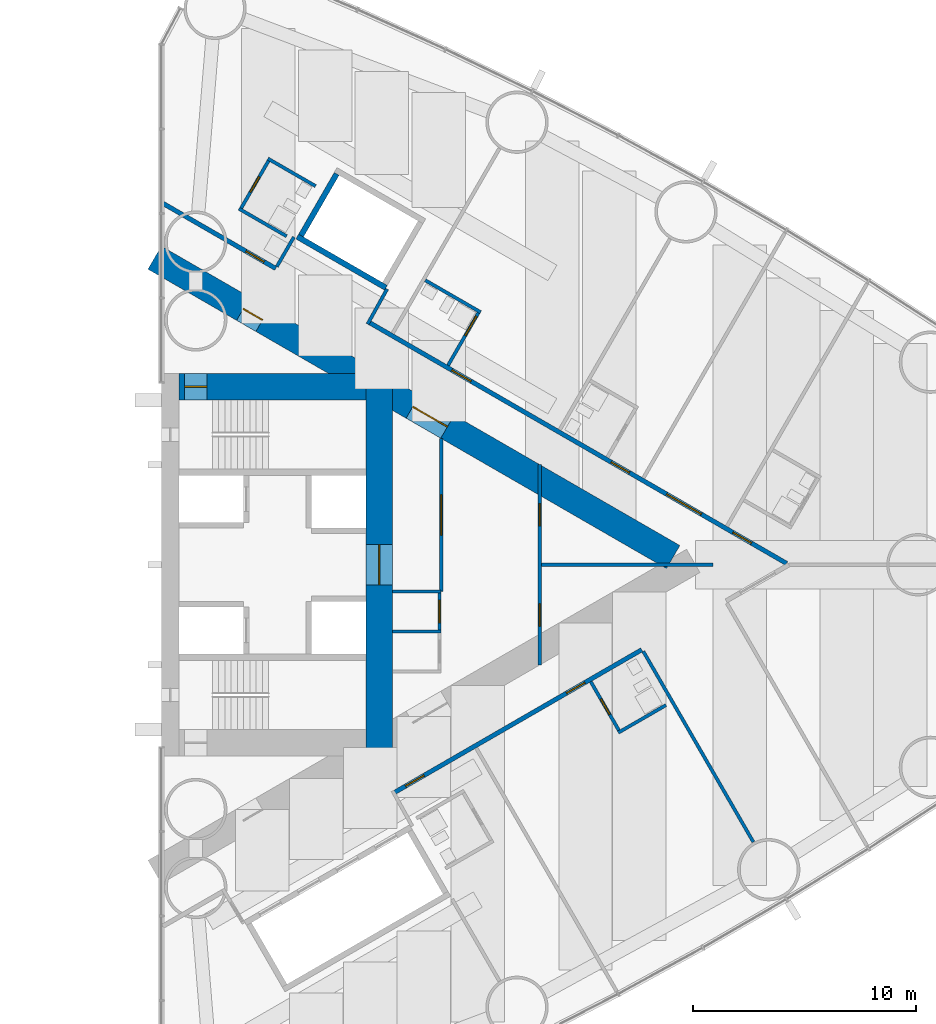
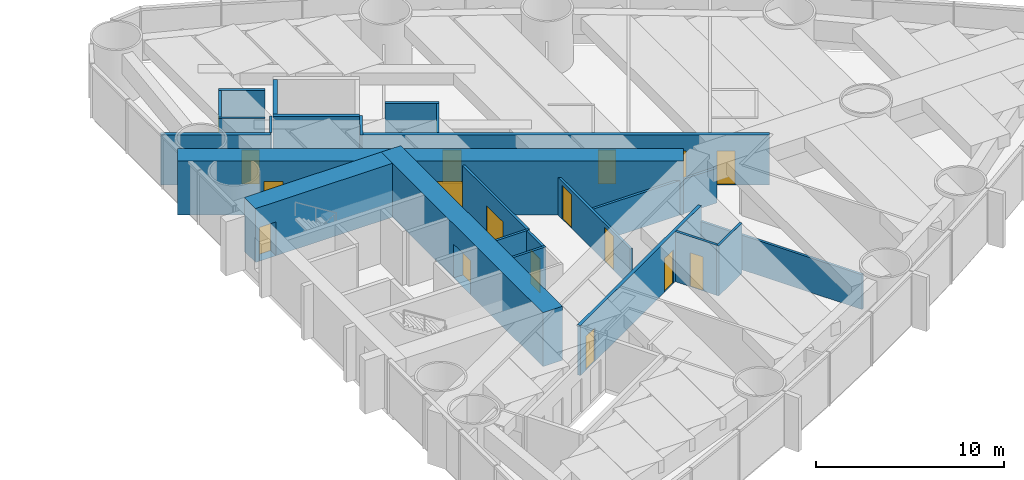
# One storey, part 15 of 19: 24 walls, 18 doors, 18 openings.
"""IFC4 building model written with IfcOpenShell, lengths in metres."""

from ifc_helpers import new_model, si_unit, direction, frame, frame_2d, origin, place, context, subcontext, project, spatial, rectangle, extrude, material, layer, layer_set, type_object, element, fill, save


model = new_model("IFC4")

# Units and contexts
model_context = context("Model", 3, precision=1e-05, world=origin(), true_north=direction((0.0, 1.0)))
body_context = subcontext(model_context, "Body", "Model", "MODEL_VIEW")
ifc_project = project(units=[si_unit("LENGTHUNIT", "METRE"), si_unit("AREAUNIT", "SQUARE_METRE"), si_unit("VOLUMEUNIT", "CUBIC_METRE"), si_unit("PLANEANGLEUNIT", "RADIAN"), si_unit("MASSUNIT", "GRAM", prefix="KILO")], contexts=[model_context])

# Site, building, storey
site_placement = place(None, origin())
site = spatial("IfcSite", under=ifc_project, at=site_placement, CompositionType="ELEMENT")
building_placement = place(site_placement, origin())
building = spatial("IfcBuilding", under=site, at=building_placement, Name="Lancet Gate Hotel", CompositionType="ELEMENT")
storey_placement = place(building_placement, frame((0.0, 0.0, 74.0)))
storey = spatial("IfcBuildingStorey", under=building, at=storey_placement, Name="L19", CompositionType="ELEMENT", Elevation=74.0)

# Wall
ifc_material_1 = material(Name="Moisture resistant board partition")
ifc_layer_1 = layer(ifc_material_1, 0.14990234375)
ifc_layer_set_1 = layer_set([ifc_layer_1], Name="Bathroom wall 150")
wall_type_1 = type_object("IfcWallType", Name="Bathroom wall 150", PredefinedType="PARTITIONING", material=ifc_layer_set_1)
wall_1_placement = place(storey_placement, frame((48.03466796875, -7.544677734375, 0.0), z_axis=(0.0, 0.0, 1.0), x_axis=(0.866006523861, 0.500032699561, 0.0)))
element("IfcWall", 1, at=wall_1_placement, inside=storey, type_object=wall_type_1, Name="T2 bathroom wall 150 L19", PredefinedType="PARTITIONING", context=body_context, shape_type="SweptSolid", body=[
    extrude(rectangle(XDim=2.474853515625, YDim=0.14990234375, at=frame_2d((1.2373046875, 0.0))), origin(), (0.0, 0.0, 1.0), 3.25),
])

# Wall, opening, door
wall_2_placement = place(storey_placement, frame((46.799560546875, -5.25537109375, 0.0), z_axis=(0.0, 0.0, 1.0), x_axis=(0.500006934395, -0.866021400173, 0.0)))
wall_2 = element("IfcWall", 2, at=wall_2_placement, inside=storey, type_object=wall_type_1, Name="T2 bathroom wall 150 L19", PredefinedType="PARTITIONING", context=body_context, shape_type="SweptSolid", body=[
    extrude(rectangle(XDim=2.60009765625, YDim=0.14990234375, at=frame_2d((1.300048828125, 0.0))), origin(), (0.0, 0.0, 1.0), 3.25),
])
opening_1_placement = place(wall_2_placement, frame((0.89990234375, 0.0, 0.0)))
opening_1 = element("IfcOpeningElement", 3, at=opening_1_placement, cuts=wall_2, Name="Opening 1954-B", PredefinedType="OPENING", context=body_context, shape_type="SweptSolid", body=[
    extrude(rectangle(XDim=0.800048828125, YDim=2.199951171875, at=frame_2d((0.39990234375, 1.10009765625))), frame((0.0, 0.0849609375, 0.0), z_axis=(0.0, -1.0, 0.0), x_axis=(1.0, 0.0, 0.0)), (0.0, 0.0, 1.0), 0.169921875),
])
ifc_material_2 = material(Name="Timber door set", Category="wood")
door_type_1 = type_object("IfcDoorType", Name="Bathroom door 800", OperationType="SINGLE_SWING_RIGHT", PredefinedType="DOOR", material=ifc_material_2)
door_1_placement = place(opening_1_placement, origin())
door_1 = element("IfcDoor", 4, at=door_1_placement, inside=storey, type_object=door_type_1, Name="1954-B", OperationType="SINGLE_SWING_RIGHT", OverallHeight=2.199951171875, OverallWidth=0.800048828125, PredefinedType="DOOR", context=body_context, shape_type="SweptSolid", body=[
    extrude(rectangle(XDim=0.800048828125, YDim=2.199951171875, at=frame_2d((0.39990234375, 1.10009765625))), frame((0.0, 0.02490234375, 0.0), z_axis=(0.0, -1.0, 0.0), x_axis=(1.0, 0.0, 0.0)), (0.0, 0.0, 1.0), 0.050048828125),
])
fill(opening_1, door_1)

# Wall
wall_3_placement = place(storey_placement, frame((39.360107421875, 12.78369140625, 0.0), z_axis=(0.0, 0.0, 1.0), x_axis=(0.866018712932, -0.500011588718, 0.0)))
element("IfcWall", 5, at=wall_3_placement, inside=storey, type_object=wall_type_1, Name="T2 bathroom wall 150 L19", PredefinedType="PARTITIONING", context=body_context, shape_type="SweptSolid", body=[
    extrude(rectangle(XDim=2.875, YDim=0.14990234375, at=frame_2d((1.4375, 0.0))), origin(), (0.0, 0.0, 1.0), 3.25),
])

# Wall, opening, door
wall_4_placement = place(storey_placement, frame((40.385009765625, 8.958984375, 0.0), z_axis=(0.0, 0.0, 1.0), x_axis=(0.49998411664, 0.866034573852, 0.0)))
wall_4 = element("IfcWall", 6, at=wall_4_placement, inside=storey, type_object=wall_type_1, Name="T2 bathroom wall 150 L19", PredefinedType="PARTITIONING", context=body_context, shape_type="SweptSolid", body=[
    extrude(rectangle(XDim=2.7998046875, YDim=0.14990234375, at=frame_2d((1.39990234375, 0.0))), origin(), (0.0, 0.0, 1.0), 3.25),
])
opening_2_placement = place(wall_4_placement, frame((1.550048828125, 0.0, 0.0)))
opening_2 = element("IfcOpeningElement", 7, at=opening_2_placement, cuts=wall_4, Name="Opening 1961-B", PredefinedType="OPENING", context=body_context, shape_type="SweptSolid", body=[
    extrude(rectangle(XDim=1.0, YDim=2.199951171875, at=frame_2d((0.5, 1.10009765625))), frame((0.0, 0.0849609375, 0.0), z_axis=(0.0, -1.0, 0.0), x_axis=(1.0, 0.0, 0.0)), (0.0, 0.0, 1.0), 0.169921875),
])
ifc_material_3 = material(Name="Timber door set", Category="wood")
door_type_2 = type_object("IfcDoorType", Name="Accessible en-suite door 1000", OperationType="SINGLE_SWING_RIGHT", PredefinedType="DOOR", material=ifc_material_3)
door_2_placement = place(opening_2_placement, origin())
door_2 = element("IfcDoor", 8, at=door_2_placement, inside=storey, type_object=door_type_2, Name="1961-B", OperationType="SINGLE_SWING_RIGHT", OverallHeight=2.199951171875, OverallWidth=1.0, PredefinedType="DOOR", context=body_context, shape_type="SweptSolid", body=[
    extrude(rectangle(XDim=1.0, YDim=2.199951171875, at=frame_2d((0.5, 1.10009765625))), frame((0.0, 0.02490234375, 0.0), z_axis=(0.0, -1.0, 0.0), x_axis=(1.0, 0.0, 0.0)), (0.0, 0.0, 1.0), 0.050048828125),
])
fill(opening_2, door_2)

# Wall
wall_5_placement = place(storey_placement, frame((32.2890625, 18.251953125, 0.0), z_axis=(0.0, 0.0, 1.0), x_axis=(0.866006523861, -0.500032699561, 0.0)))
element("IfcWall", 9, at=wall_5_placement, inside=storey, type_object=wall_type_1, Name="T2 bathroom wall 150 L19", PredefinedType="PARTITIONING", context=body_context, shape_type="SweptSolid", body=[
    extrude(rectangle(XDim=2.474853515625, YDim=0.14990234375, at=frame_2d((1.2373046875, 0.0))), origin(), (0.0, 0.0, 1.0), 3.25),
])

# Wall, opening, door
wall_6_placement = place(storey_placement, frame((31.053955078125, 15.962646484375, 0.0), z_axis=(0.0, 0.0, 1.0), x_axis=(0.500006934395, 0.866021400173, 0.0)))
wall_6 = element("IfcWall", 10, at=wall_6_placement, inside=storey, type_object=wall_type_1, Name="T2 bathroom wall 150 L19", PredefinedType="PARTITIONING", context=body_context, shape_type="SweptSolid", body=[
    extrude(rectangle(XDim=2.60009765625, YDim=0.14990234375, at=frame_2d((1.300048828125, 0.0))), origin(), (0.0, 0.0, 1.0), 3.25),
])
opening_3_placement = place(wall_6_placement, frame((0.89990234375, 0.0, 0.0)))
opening_3 = element("IfcOpeningElement", 11, at=opening_3_placement, cuts=wall_6, Name="Opening 1963-B", PredefinedType="OPENING", context=body_context, shape_type="SweptSolid", body=[
    extrude(rectangle(XDim=0.800048828125, YDim=2.199951171875, at=frame_2d((0.39990234375, 1.10009765625))), frame((0.0, 0.0849609375, 0.0), z_axis=(0.0, -1.0, 0.0), x_axis=(1.0, 0.0, 0.0)), (0.0, 0.0, 1.0), 0.169921875),
])
door_3_placement = place(opening_3_placement, origin())
door_3 = element("IfcDoor", 12, at=door_3_placement, inside=storey, type_object=door_type_1, Name="1963-B", OperationType="SINGLE_SWING_RIGHT", OverallHeight=2.199951171875, OverallWidth=0.800048828125, PredefinedType="DOOR", context=body_context, shape_type="SweptSolid", body=[
    extrude(rectangle(XDim=0.800048828125, YDim=2.199951171875, at=frame_2d((0.39990234375, 1.10009765625))), frame((0.0, 0.02490234375, 0.0), z_axis=(0.0, -1.0, 0.0), x_axis=(1.0, 0.0, 0.0)), (0.0, 0.0, 1.0), 0.050048828125),
])
fill(opening_3, door_3)

# Wall
wall_7_placement = place(storey_placement, frame((30.989013671875, 16.000244140625, 0.0), z_axis=(0.0, 0.0, 1.0), x_axis=(0.866031185235, -0.4999899861, 0.0)))
element("IfcWall", 13, at=wall_7_placement, inside=storey, type_object=wall_type_1, Name="T2 bathroom wall 150 L19", PredefinedType="PARTITIONING", context=body_context, shape_type="SweptSolid", body=[
    extrude(rectangle(XDim=2.47509765625, YDim=0.14990234375, at=frame_2d((1.237548828125, 0.0))), origin(), (0.0, 0.0, 1.0), 3.25),
])

# Wall, openings, doors
ifc_material_4 = material(Name="Concrete C70/85", Category="concrete")
ifc_layer_2 = layer(ifc_material_4, 1.199951171875)
ifc_layer_set_2 = layer_set([ifc_layer_2], Name="Buttress wall 1200")
wall_type_2 = type_object("IfcWallType", Name="Buttress wall 1200", PredefinedType="SHEAR", material=ifc_layer_set_2)
wall_8_placement = place(storey_placement, frame((27.199951171875, 13.800048828125, 0.0), z_axis=(0.0, 0.0, 1.0), x_axis=(0.866024515034, -0.500001539357, 0.0)))
wall_8 = element("IfcWall", 14, at=wall_8_placement, inside=storey, type_object=wall_type_2, Name="T2 buttress wall N L19", PredefinedType="SHEAR", context=body_context, shape_type="SweptSolid", body=[
    extrude(rectangle(XDim=26.9072265625, YDim=1.199951171875, at=frame_2d((13.45361328125, 0.0))), origin(), (0.0, 0.0, 1.0), 3.5),
])
opening_4_placement = place(wall_8_placement, frame((4.60009765625, 0.0, 0.0)))
opening_4 = element("IfcOpeningElement", 15, at=opening_4_placement, cuts=wall_8, Name="Opening T2-L19-LN", PredefinedType="OPENING", context=body_context, shape_type="SweptSolid", body=[
    extrude(rectangle(XDim=1.0, YDim=2.199951171875, at=frame_2d((0.5, 1.10009765625))), frame((0.0, 0.60986328125, 0.0), z_axis=(0.0, -1.0, 0.0), x_axis=(1.0, 0.0, 0.0)), (0.0, 0.0, 1.0), 1.219970703125),
])
opening_5_placement = place(wall_8_placement, frame((13.39453125, 0.0, 0.0)))
opening_5 = element("IfcOpeningElement", 16, at=opening_5_placement, cuts=wall_8, Name="Opening T2-L19-LHN", PredefinedType="OPENING", context=body_context, shape_type="SweptSolid", body=[
    extrude(rectangle(XDim=1.800048828125, YDim=2.199951171875, at=frame_2d((0.89990234375, 1.10009765625))), frame((0.0, 0.60986328125, 0.0), z_axis=(0.0, -1.0, 0.0), x_axis=(1.0, 0.0, 0.0)), (0.0, 0.0, 1.0), 1.219970703125),
])
ifc_material_5 = material(Name="Timber door set", Category="wood")
door_type_3 = type_object("IfcDoorType", Name="Lobby double door 1800", OperationType="DOUBLE_DOOR_SINGLE_SWING", PredefinedType="DOOR", material=ifc_material_5)
door_4_placement = place(opening_5_placement, origin())
door_4 = element("IfcDoor", 17, at=door_4_placement, inside=storey, type_object=door_type_3, Name="T2-L19-LHN", OperationType="DOUBLE_DOOR_SINGLE_SWING", OverallHeight=2.199951171875, OverallWidth=1.800048828125, PredefinedType="DOOR", context=body_context, shape_type="SweptSolid", body=[
    extrude(rectangle(XDim=1.800048828125, YDim=2.199951171875, at=frame_2d((0.89990234375, 1.10009765625))), frame((0.0, 0.02490234375, 0.0), z_axis=(0.0, -1.0, 0.0), x_axis=(1.0, 0.0, 0.0)), (0.0, 0.0, 1.0), 0.050048828125),
])
fill(opening_5, door_4)
ifc_material_6 = material(Name="Timber door set", Category="wood")
door_type_4 = type_object("IfcDoorType", Name="Stair lobby door 1000", OperationType="SINGLE_SWING_LEFT", PredefinedType="DOOR", material=ifc_material_6)
door_5_placement = place(opening_4_placement, origin())
door_5 = element("IfcDoor", 18, at=door_5_placement, inside=storey, type_object=door_type_4, Name="T2-L19-LN", OperationType="SINGLE_SWING_LEFT", OverallHeight=2.199951171875, OverallWidth=1.0, PredefinedType="DOOR", context=body_context, shape_type="SweptSolid", body=[
    extrude(rectangle(XDim=1.0, YDim=2.199951171875, at=frame_2d((0.5, 1.10009765625))), frame((0.0, 0.02490234375, 0.0), z_axis=(0.0, -1.0, 0.0), x_axis=(1.0, 0.0, 0.0)), (0.0, 0.0, 1.0), 0.050048828125),
])
fill(opening_4, door_5)

# Wall, opening, door
ifc_material_7 = material(Name="Concrete C70/85", Category="concrete")
ifc_layer_3 = layer(ifc_material_7, 1.199951171875)
ifc_layer_set_3 = layer_set([ifc_layer_3], Name="Core wall 1200")
wall_type_3 = type_object("IfcWallType", Name="Core wall 1200", PredefinedType="SHEAR", material=ifc_layer_set_3)
wall_9_placement = place(storey_placement, frame((37.300048828125, -8.60009765625, 0.0), z_axis=(0.0, 0.0, 1.0), x_axis=(0.0, 1.0, 0.0)))
wall_9 = element("IfcWall", 19, at=wall_9_placement, inside=storey, type_object=wall_type_3, Name="T2 core wall back L19", PredefinedType="SHEAR", context=body_context, shape_type="SweptSolid", body=[
    extrude(rectangle(XDim=17.2001953125, YDim=1.199951171875, at=frame_2d((8.60009765625, 0.0))), origin(), (0.0, 0.0, 1.0), 3.5),
])
opening_6_placement = place(wall_9_placement, frame((7.699951171875, 0.0, 0.0)))
opening_6 = element("IfcOpeningElement", 20, at=opening_6_placement, cuts=wall_9, Name="Opening T2-L19-LL", PredefinedType="OPENING", context=body_context, shape_type="SweptSolid", body=[
    extrude(rectangle(XDim=1.800048828125, YDim=2.199951171875, at=frame_2d((0.89990234375, 1.10009765625))), frame((0.0, 0.60986328125, 0.0), z_axis=(0.0, -1.0, 0.0), x_axis=(1.0, 0.0, 0.0)), (0.0, 0.0, 1.0), 1.219970703125),
])
door_6_placement = place(opening_6_placement, origin())
door_6 = element("IfcDoor", 21, at=door_6_placement, inside=storey, type_object=door_type_3, Name="T2-L19-LL", OperationType="DOUBLE_DOOR_SINGLE_SWING", OverallHeight=2.199951171875, OverallWidth=1.800048828125, PredefinedType="DOOR", context=body_context, shape_type="SweptSolid", body=[
    extrude(rectangle(XDim=1.800048828125, YDim=2.199951171875, at=frame_2d((0.89990234375, 1.10009765625))), frame((0.0, 0.02490234375, 0.0), z_axis=(0.0, -1.0, 0.0), x_axis=(1.0, 0.0, 0.0)), (0.0, 0.0, 1.0), 0.050048828125),
])
fill(opening_6, door_6)

wall_10_placement = place(storey_placement, frame((28.300048828125, 8.0, 0.0), z_axis=(0.0, 0.0, 1.0), x_axis=(1.0, 0.0, 0.0)))
wall_10 = element("IfcWall", 22, at=wall_10_placement, inside=storey, type_object=wall_type_3, Name="T2 core wall side-N L19", PredefinedType="SHEAR", context=body_context, shape_type="SweptSolid", body=[
    extrude(rectangle(XDim=8.39990234375, YDim=1.199951171875, at=frame_2d((4.199951171875, 0.0))), origin(), (0.0, 0.0, 1.0), 3.5),
])
opening_7_placement = place(wall_10_placement, frame((0.25, 0.0, 0.0)))
opening_7 = element("IfcOpeningElement", 23, at=opening_7_placement, cuts=wall_10, Name="Opening T2-L19-ST2", PredefinedType="OPENING", context=body_context, shape_type="SweptSolid", body=[
    extrude(rectangle(XDim=1.0, YDim=2.199951171875, at=frame_2d((0.5, 1.10009765625))), frame((0.0, 0.60986328125, 0.0), z_axis=(0.0, -1.0, 0.0), x_axis=(1.0, 0.0, 0.0)), (0.0, 0.0, 1.0), 1.219970703125),
])
ifc_material_8 = material(Name="Timber door set", Category="wood")
door_type_5 = type_object("IfcDoorType", Name="Stair door 1000", OperationType="SINGLE_SWING_RIGHT", PredefinedType="DOOR", material=ifc_material_8)
door_7_placement = place(opening_7_placement, origin())
door_7 = element("IfcDoor", 24, at=door_7_placement, inside=storey, type_object=door_type_5, Name="T2-L19-ST2", OperationType="SINGLE_SWING_RIGHT", OverallHeight=2.199951171875, OverallWidth=1.0, PredefinedType="DOOR", context=body_context, shape_type="SweptSolid", body=[
    extrude(rectangle(XDim=1.0, YDim=2.199951171875, at=frame_2d((0.5, 1.10009765625))), frame((0.0, 0.02490234375, 0.0), z_axis=(0.0, -1.0, 0.0), x_axis=(1.0, 0.0, 0.0)), (0.0, 0.0, 1.0), 0.050048828125),
])
fill(opening_7, door_7)

ifc_material_9 = material(Name="Gypsum board partition")
ifc_layer_4 = layer(ifc_material_9, 0.199951171875)
ifc_layer_set_4 = layer_set([ifc_layer_4], Name="Corridor wall 200")
wall_type_4 = type_object("IfcWallType", Name="Corridor wall 200", PredefinedType="PARTITIONING", material=ifc_layer_set_4)
wall_11_placement = place(storey_placement, frame((27.572021484375, 16.240966796875, 0.0), z_axis=(0.0, 0.0, 1.0), x_axis=(0.866032814021, -0.499987164874, 0.0)))
wall_11 = element("IfcWall", 25, at=wall_11_placement, inside=storey, type_object=wall_type_4, Name="T2 corridor wall 200 L19", PredefinedType="PARTITIONING", context=body_context, shape_type="SweptSolid", body=[
    extrude(rectangle(XDim=5.854736328125, YDim=0.199951171875, at=frame_2d((2.92724609375, 0.0))), origin(), (0.0, 0.0, 1.0), 3.25),
])
opening_8_placement = place(wall_11_placement, frame((4.3046875, 0.0, 0.0)))
opening_8 = element("IfcOpeningElement", 26, at=opening_8_placement, cuts=wall_11, Name="Opening 1963-E", PredefinedType="OPENING", context=body_context, shape_type="SweptSolid", body=[
    extrude(rectangle(XDim=0.949951171875, YDim=2.199951171875, at=frame_2d((0.47509765625, 1.10009765625))), frame((0.0, 0.10986328125, 0.0), z_axis=(0.0, -1.0, 0.0), x_axis=(1.0, 0.0, 0.0)), (0.0, 0.0, 1.0), 0.219970703125),
])
ifc_material_10 = material(Name="Timber door set", Category="wood")
door_type_6 = type_object("IfcDoorType", Name="Guest room entry door 950", OperationType="SINGLE_SWING_LEFT", PredefinedType="DOOR", material=ifc_material_10)
door_8_placement = place(opening_8_placement, origin())
door_8 = element("IfcDoor", 27, at=door_8_placement, inside=storey, type_object=door_type_6, Name="1963-E", OperationType="SINGLE_SWING_LEFT", OverallHeight=2.199951171875, OverallWidth=0.949951171875, PredefinedType="DOOR", context=body_context, shape_type="SweptSolid", body=[
    extrude(rectangle(XDim=0.949951171875, YDim=2.199951171875, at=frame_2d((0.47509765625, 1.10009765625))), frame((0.0, 0.02490234375, 0.0), z_axis=(0.0, -1.0, 0.0), x_axis=(1.0, 0.0, 0.0)), (0.0, 0.0, 1.0), 0.050048828125),
])
fill(opening_8, door_8)

# Wall, openings, doors
wall_12_placement = place(storey_placement, frame((36.833984375, 10.8935546875, 0.0), z_axis=(0.0, 0.0, 1.0), x_axis=(0.866028157229, -0.499995230863, 0.0)))
wall_12 = element("IfcWall", 28, at=wall_12_placement, inside=storey, type_object=wall_type_4, Name="T2 corridor wall 200 L19", PredefinedType="PARTITIONING", context=body_context, shape_type="SweptSolid", body=[
    extrude(rectangle(XDim=21.667236328125, YDim=0.199951171875, at=frame_2d((10.83349609375, 0.0))), origin(), (0.0, 0.0, 1.0), 3.25),
])
opening_9_placement = place(wall_12_placement, frame((18.885498046875, 0.0, 0.0)))
opening_9 = element("IfcOpeningElement", 29, at=opening_9_placement, cuts=wall_12, Name="Opening 1958-E", PredefinedType="OPENING", context=body_context, shape_type="SweptSolid", body=[
    extrude(rectangle(XDim=0.949951171875, YDim=2.199951171875, at=frame_2d((0.47509765625, 1.10009765625))), frame((0.0, 0.10986328125, 0.0), z_axis=(0.0, -1.0, 0.0), x_axis=(1.0, 0.0, 0.0)), (0.0, 0.0, 1.0), 0.219970703125),
])
opening_10_placement = place(wall_12_placement, frame((15.442626953125, 0.0, 0.0)))
opening_10 = element("IfcOpeningElement", 30, at=opening_10_placement, cuts=wall_12, Name="Opening 1959-E", PredefinedType="OPENING", context=body_context, shape_type="SweptSolid", body=[
    extrude(rectangle(XDim=1.800048828125, YDim=2.199951171875, at=frame_2d((0.89990234375, 1.10009765625))), frame((0.0, 0.10986328125, 0.0), z_axis=(0.0, -1.0, 0.0), x_axis=(1.0, 0.0, 0.0)), (0.0, 0.0, 1.0), 0.219970703125),
])
opening_11_placement = place(wall_12_placement, frame((12.561767578125, 0.0, 0.0)))
opening_11 = element("IfcOpeningElement", 31, at=opening_11_placement, cuts=wall_12, Name="Opening 1960-E", PredefinedType="OPENING", context=body_context, shape_type="SweptSolid", body=[
    extrude(rectangle(XDim=0.949951171875, YDim=2.199951171875, at=frame_2d((0.47509765625, 1.10009765625))), frame((0.0, 0.10986328125, 0.0), z_axis=(0.0, -1.0, 0.0), x_axis=(1.0, 0.0, 0.0)), (0.0, 0.0, 1.0), 0.219970703125),
])
opening_12_placement = place(wall_12_placement, frame((4.29248046875, 0.0, 0.0)))
opening_12 = element("IfcOpeningElement", 32, at=opening_12_placement, cuts=wall_12, Name="Opening 1961-E", PredefinedType="OPENING", context=body_context, shape_type="SweptSolid", body=[
    extrude(rectangle(XDim=1.0, YDim=2.199951171875, at=frame_2d((0.5, 1.10009765625))), frame((0.0, 0.10986328125, 0.0), z_axis=(0.0, -1.0, 0.0), x_axis=(1.0, 0.0, 0.0)), (0.0, 0.0, 1.0), 0.219970703125),
])
ifc_material_11 = material(Name="Timber door set", Category="wood")
door_type_7 = type_object("IfcDoorType", Name="Accessible guest room door 1000", OperationType="SINGLE_SWING_LEFT", PredefinedType="DOOR", material=ifc_material_11)
door_9_placement = place(opening_12_placement, origin())
door_9 = element("IfcDoor", 33, at=door_9_placement, inside=storey, type_object=door_type_7, Name="1961-E", OperationType="SINGLE_SWING_LEFT", OverallHeight=2.199951171875, OverallWidth=1.0, PredefinedType="DOOR", context=body_context, shape_type="SweptSolid", body=[
    extrude(rectangle(XDim=1.0, YDim=2.199951171875, at=frame_2d((0.5, 1.10009765625))), frame((0.0, 0.02490234375, 0.0), z_axis=(0.0, -1.0, 0.0), x_axis=(1.0, 0.0, 0.0)), (0.0, 0.0, 1.0), 0.050048828125),
])
fill(opening_12, door_9)
ifc_material_12 = material(Name="Timber door set", Category="wood")
door_type_8 = type_object("IfcDoorType", Name="Double door 1800", OperationType="DOUBLE_DOOR_SINGLE_SWING", PredefinedType="DOOR", material=ifc_material_12)
door_10_placement = place(opening_10_placement, origin())
door_10 = element("IfcDoor", 34, at=door_10_placement, inside=storey, type_object=door_type_8, Name="1959-E", OperationType="DOUBLE_DOOR_SINGLE_SWING", OverallHeight=2.199951171875, OverallWidth=1.800048828125, PredefinedType="DOOR", context=body_context, shape_type="SweptSolid", body=[
    extrude(rectangle(XDim=1.800048828125, YDim=2.199951171875, at=frame_2d((0.89990234375, 1.10009765625))), frame((0.0, 0.02490234375, 0.0), z_axis=(0.0, -1.0, 0.0), x_axis=(1.0, 0.0, 0.0)), (0.0, 0.0, 1.0), 0.050048828125),
])
fill(opening_10, door_10)
door_11_placement = place(opening_9_placement, origin())
door_11 = element("IfcDoor", 35, at=door_11_placement, inside=storey, type_object=door_type_6, Name="1958-E", OperationType="SINGLE_SWING_LEFT", OverallHeight=2.199951171875, OverallWidth=0.949951171875, PredefinedType="DOOR", context=body_context, shape_type="SweptSolid", body=[
    extrude(rectangle(XDim=0.949951171875, YDim=2.199951171875, at=frame_2d((0.47509765625, 1.10009765625))), frame((0.0, 0.02490234375, 0.0), z_axis=(0.0, -1.0, 0.0), x_axis=(1.0, 0.0, 0.0)), (0.0, 0.0, 1.0), 0.050048828125),
])
fill(opening_9, door_11)
door_12_placement = place(opening_11_placement, origin())
door_12 = element("IfcDoor", 36, at=door_12_placement, inside=storey, type_object=door_type_6, Name="1960-E", OperationType="SINGLE_SWING_LEFT", OverallHeight=2.199951171875, OverallWidth=0.949951171875, PredefinedType="DOOR", context=body_context, shape_type="SweptSolid", body=[
    extrude(rectangle(XDim=0.949951171875, YDim=2.199951171875, at=frame_2d((0.47509765625, 1.10009765625))), frame((0.0, 0.02490234375, 0.0), z_axis=(0.0, -1.0, 0.0), x_axis=(1.0, 0.0, 0.0)), (0.0, 0.0, 1.0), 0.050048828125),
])
fill(opening_11, door_12)

wall_13_placement = place(storey_placement, frame((37.9599609375, -10.243408203125, 0.0), z_axis=(0.0, 0.0, 1.0), x_axis=(0.866030548046, 0.499991089772, 0.0)))
wall_13 = element("IfcWall", 37, at=wall_13_placement, inside=storey, type_object=wall_type_4, Name="T2 corridor wall 200 L19", PredefinedType="PARTITIONING", context=body_context, shape_type="SweptSolid", body=[
    extrude(rectangle(XDim=12.849365234375, YDim=0.199951171875, at=frame_2d((6.4248046875, 0.0))), origin(), (0.0, 0.0, 1.0), 3.25),
])
opening_13_placement = place(wall_13_placement, frame((8.949462890625, 0.0, 0.0)))
opening_13 = element("IfcOpeningElement", 38, at=opening_13_placement, cuts=wall_13, Name="Opening 1954-E", PredefinedType="OPENING", context=body_context, shape_type="SweptSolid", body=[
    extrude(rectangle(XDim=0.949951171875, YDim=2.199951171875, at=frame_2d((0.47509765625, 1.10009765625))), frame((0.0, 0.10986328125, 0.0), z_axis=(0.0, -1.0, 0.0), x_axis=(1.0, 0.0, 0.0)), (0.0, 0.0, 1.0), 0.219970703125),
])
opening_14_placement = place(wall_13_placement, frame((0.60009765625, 0.0, 0.0)))
opening_14 = element("IfcOpeningElement", 39, at=opening_14_placement, cuts=wall_13, Name="Opening 1953-E", PredefinedType="OPENING", context=body_context, shape_type="SweptSolid", body=[
    extrude(rectangle(XDim=0.949951171875, YDim=2.199951171875, at=frame_2d((0.47509765625, 1.10009765625))), frame((0.0, 0.10986328125, 0.0), z_axis=(0.0, -1.0, 0.0), x_axis=(1.0, 0.0, 0.0)), (0.0, 0.0, 1.0), 0.219970703125),
])
door_13_placement = place(opening_13_placement, origin())
door_13 = element("IfcDoor", 40, at=door_13_placement, inside=storey, type_object=door_type_6, Name="1954-E", OperationType="SINGLE_SWING_LEFT", OverallHeight=2.199951171875, OverallWidth=0.949951171875, PredefinedType="DOOR", context=body_context, shape_type="SweptSolid", body=[
    extrude(rectangle(XDim=0.949951171875, YDim=2.199951171875, at=frame_2d((0.47509765625, 1.10009765625))), frame((0.0, 0.02490234375, 0.0), z_axis=(0.0, -1.0, 0.0), x_axis=(1.0, 0.0, 0.0)), (0.0, 0.0, 1.0), 0.050048828125),
])
fill(opening_13, door_13)
door_14_placement = place(opening_14_placement, origin())
door_14 = element("IfcDoor", 41, at=door_14_placement, inside=storey, type_object=door_type_6, Name="1953-E", OperationType="SINGLE_SWING_LEFT", OverallHeight=2.199951171875, OverallWidth=0.949951171875, PredefinedType="DOOR", context=body_context, shape_type="SweptSolid", body=[
    extrude(rectangle(XDim=0.949951171875, YDim=2.199951171875, at=frame_2d((0.47509765625, 1.10009765625))), frame((0.0, 0.02490234375, 0.0), z_axis=(0.0, -1.0, 0.0), x_axis=(1.0, 0.0, 0.0)), (0.0, 0.0, 1.0), 0.050048828125),
])
fill(opening_14, door_14)

# Walls
ifc_material_13 = material(Name="Gypsum board partition")
ifc_layer_5 = layer(ifc_material_13, 0.25)
ifc_layer_set_5 = layer_set([ifc_layer_5], Name="Lift shaft partition 250")
wall_type_5 = type_object("IfcWallType", Name="Lift shaft partition 250", PredefinedType="PARTITIONING", material=ifc_layer_set_5)
wall_14_placement = place(storey_placement, frame((33.6083984375, 14.747314453125, 0.0), z_axis=(0.0, 0.0, 1.0), x_axis=(0.866043305498, -0.49996899204, 0.0)))
element("IfcWall", 42, at=wall_14_placement, inside=storey, type_object=wall_type_5, Name="T2 lift shaft wall EX L19", PredefinedType="PARTITIONING", context=body_context, shape_type="SweptSolid", body=[
    extrude(rectangle(XDim=4.600341796875, YDim=0.25, at=frame_2d((2.30029296875, 0.0))), origin(), (0.0, 0.0, 1.0), 3.25),
])
wall_15_placement = place(storey_placement, frame((33.779296875, 14.79296875, 0.0), z_axis=(0.0, 0.0, 1.0), x_axis=(0.499929347863, 0.866066190972, 0.0)))
element("IfcWall", 43, at=wall_15_placement, inside=storey, type_object=wall_type_5, Name="T2 lift shaft wall EX L19", PredefinedType="PARTITIONING", context=body_context, shape_type="SweptSolid", body=[
    extrude(rectangle(XDim=3.20068359375, YDim=0.25, at=frame_2d((1.600341796875, 0.0))), origin(), (0.0, 0.0, 1.0), 3.25),
])
ifc_material_14 = material(Name="Gypsum board partition")
ifc_layer_6 = layer(ifc_material_14, 0.14990234375)
ifc_layer_set_6 = layer_set([ifc_layer_6], Name="Party wall 150")
wall_type_6 = type_object("IfcWallType", Name="Party wall 150", PredefinedType="PARTITIONING", material=ifc_layer_set_6)
wall_16_placement = place(storey_placement, frame((49.159423828125, -3.892822265625, 0.0), z_axis=(0.0, 0.0, 1.0), x_axis=(0.499998773722, -0.866026111775, 0.0)))
element("IfcWall", 44, at=wall_16_placement, inside=storey, type_object=wall_type_6, Name="T2 party wall 150 L19", PredefinedType="PARTITIONING", context=body_context, shape_type="SweptSolid", body=[
    extrude(rectangle(XDim=9.8916015625, YDim=0.14990234375, at=frame_2d((4.94580078125, 0.0))), origin(), (0.0, 0.0, 1.0), 2.25),
])
ifc_material_15 = material(Name="Gypsum board partition")
ifc_layer_7 = layer(ifc_material_15, 0.14990234375)
ifc_layer_set_7 = layer_set([ifc_layer_7], Name="Service room wall 150")
wall_type_7 = type_object("IfcWallType", Name="Service room wall 150", PredefinedType="PARTITIONING", material=ifc_layer_set_7)
wall_17_placement = place(storey_placement, frame((36.77099609375, 10.814453125, 0.0), z_axis=(0.0, 0.0, 1.0), x_axis=(0.485585508183, 0.874189175317, 0.0)))
element("IfcWall", 45, at=wall_17_placement, inside=storey, type_object=wall_type_7, Name="T2 service room wall 150 L19", PredefinedType="PARTITIONING", context=body_context, shape_type="SweptSolid", body=[
    extrude(rectangle(XDim=1.804931640625, YDim=0.14990234375, at=frame_2d((0.90234375, 0.0))), origin(), (0.0, 0.0, 1.0), 3.25),
])
wall_18_placement = place(storey_placement, frame((32.6923828125, 13.400390625, 0.0), z_axis=(0.0, 0.0, 1.0), x_axis=(0.499985008713, 0.866034058835, 0.0)))
element("IfcWall", 46, at=wall_18_placement, inside=storey, type_object=wall_type_7, Name="T2 service room wall 150 L19", PredefinedType="PARTITIONING", context=body_context, shape_type="SweptSolid", body=[
    extrude(rectangle(XDim=1.529296875, YDim=0.14990234375, at=frame_2d((0.7646484375, 0.0))), origin(), (0.0, 0.0, 1.0), 3.25),
])
for number, where, z_axis, x_axis, name in (
    (47, (37.89990234375, -1.199951171875, 0.0), (0.0, 0.0, 1.0), (1.0, 0.0, 0.0), "T2 service room wall 150 L19"),
    (48, (37.89990234375, -3.0, 0.0), (0.0, 0.0, 1.0), (1.0, 0.0, 0.0), "T2 service room wall 150 L19"),
):
    element("IfcWall", number, at=place(storey_placement, frame(where, z_axis=z_axis, x_axis=x_axis)), inside=storey, type_object=wall_type_7, Name=name, PredefinedType="PARTITIONING", context=body_context, shape_type="SweptSolid", body=[
        extrude(rectangle(XDim=2.175048828125, YDim=0.14990234375, at=frame_2d((1.08740234375, 0.0))), origin(), (0.0, 0.0, 1.0), 3.25),
    ])

# Wall, opening, door
wall_19_placement = place(storey_placement, frame((40.0, -3.074951171875, 0.0), z_axis=(0.0, 0.0, 1.0), x_axis=(0.0, 1.0, 0.0)))
wall_19 = element("IfcWall", 49, at=wall_19_placement, inside=storey, type_object=wall_type_7, Name="T2 service room wall 150 L19", PredefinedType="PARTITIONING", context=body_context, shape_type="SweptSolid", body=[
    extrude(rectangle(XDim=1.949951171875, YDim=0.14990234375, at=frame_2d((0.97509765625, 0.0))), origin(), (0.0, 0.0, 1.0), 3.25),
])
opening_15_placement = place(wall_19_placement, frame((0.47509765625, 0.0, 0.0)))
opening_15 = element("IfcOpeningElement", 50, at=opening_15_placement, cuts=wall_19, Name="Opening T2-L19-HRS0", PredefinedType="OPENING", context=body_context, shape_type="SweptSolid", body=[
    extrude(rectangle(XDim=1.0, YDim=2.199951171875, at=frame_2d((0.5, 1.10009765625))), frame((0.0, 0.0849609375, 0.0), z_axis=(0.0, -1.0, 0.0), x_axis=(1.0, 0.0, 0.0)), (0.0, 0.0, 1.0), 0.169921875),
])
ifc_material_16 = material(Name="Timber door set", Category="wood")
door_type_9 = type_object("IfcDoorType", Name="Service door 1000", OperationType="SINGLE_SWING_LEFT", PredefinedType="DOOR", material=ifc_material_16)
door_15_placement = place(opening_15_placement, origin())
door_15 = element("IfcDoor", 51, at=door_15_placement, inside=storey, type_object=door_type_9, Name="T2-L19-HRS0", OperationType="SINGLE_SWING_LEFT", OverallHeight=2.199951171875, OverallWidth=1.0, PredefinedType="DOOR", context=body_context, shape_type="SweptSolid", body=[
    extrude(rectangle(XDim=1.0, YDim=2.199951171875, at=frame_2d((0.5, 1.10009765625))), frame((0.0, 0.02490234375, 0.0), z_axis=(0.0, -1.0, 0.0), x_axis=(1.0, 0.0, 0.0)), (0.0, 0.0, 1.0), 0.050048828125),
])
fill(opening_15, door_15)

wall_20_placement = place(storey_placement, frame((40.074951171875, -1.199951171875, 0.0), z_axis=(0.0, 0.0, 1.0), x_axis=(0.0, 1.0, 0.0)))
wall_20 = element("IfcWall", 52, at=wall_20_placement, inside=storey, type_object=wall_type_7, Name="T2 service room wall 150 L19", PredefinedType="PARTITIONING", context=body_context, shape_type="SweptSolid", body=[
    extrude(rectangle(XDim=6.873779296875, YDim=0.14990234375, at=frame_2d((3.43701171875, 0.0))), origin(), (0.0, 0.0, 1.0), 3.25),
])
opening_16_placement = place(wall_20_placement, frame((2.536865234375, 0.0, 0.0)))
opening_16 = element("IfcOpeningElement", 53, at=opening_16_placement, cuts=wall_20, Name="Opening T2-L19-LH", PredefinedType="OPENING", context=body_context, shape_type="SweptSolid", body=[
    extrude(rectangle(XDim=1.800048828125, YDim=2.199951171875, at=frame_2d((0.89990234375, 1.10009765625))), frame((0.0, 0.0849609375, 0.0), z_axis=(0.0, -1.0, 0.0), x_axis=(1.0, 0.0, 0.0)), (0.0, 0.0, 1.0), 0.169921875),
])
door_16_placement = place(opening_16_placement, origin())
door_16 = element("IfcDoor", 54, at=door_16_placement, inside=storey, type_object=door_type_3, Name="T2-L19-LH", OperationType="DOUBLE_DOOR_SINGLE_SWING", OverallHeight=2.199951171875, OverallWidth=1.800048828125, PredefinedType="DOOR", context=body_context, shape_type="SweptSolid", body=[
    extrude(rectangle(XDim=1.800048828125, YDim=2.199951171875, at=frame_2d((0.89990234375, 1.10009765625))), frame((0.0, 0.02490234375, 0.0), z_axis=(0.0, -1.0, 0.0), x_axis=(1.0, 0.0, 0.0)), (0.0, 0.0, 1.0), 0.050048828125),
])
fill(opening_16, door_16)

# Wall, openings, doors
wall_21_placement = place(storey_placement, frame((44.5, -4.504638671875, 0.0), z_axis=(0.0, 0.0, 1.0), x_axis=(0.0, 1.0, 0.0)))
wall_21 = element("IfcWall", 55, at=wall_21_placement, inside=storey, type_object=wall_type_7, Name="T2 service room wall 150 L19", PredefinedType="PARTITIONING", context=body_context, shape_type="SweptSolid", body=[
    extrude(rectangle(XDim=9.00927734375, YDim=0.14990234375, at=frame_2d((4.504638671875, 0.0))), origin(), (0.0, 0.0, 1.0), 2.449951171875),
])
opening_17_placement = place(wall_21_placement, frame((1.752197265625, 0.0, 0.0)))
opening_17 = element("IfcOpeningElement", 56, at=opening_17_placement, cuts=wall_21, Name="Opening T2-L19-SV", PredefinedType="OPENING", context=body_context, shape_type="SweptSolid", body=[
    extrude(rectangle(XDim=1.0, YDim=2.199951171875, at=frame_2d((0.5, 1.10009765625))), frame((0.0, 0.0849609375, 0.0), z_axis=(0.0, -1.0, 0.0), x_axis=(1.0, 0.0, 0.0)), (0.0, 0.0, 1.0), 0.169921875),
])
opening_18_placement = place(wall_21_placement, frame((6.2568359375, 0.0, 0.0)))
opening_18 = element("IfcOpeningElement", 57, at=opening_18_placement, cuts=wall_21, Name="Opening T2-L19-SV2", PredefinedType="OPENING", context=body_context, shape_type="SweptSolid", body=[
    extrude(rectangle(XDim=1.0, YDim=2.199951171875, at=frame_2d((0.5, 1.10009765625))), frame((0.0, 0.0849609375, 0.0), z_axis=(0.0, -1.0, 0.0), x_axis=(1.0, 0.0, 0.0)), (0.0, 0.0, 1.0), 0.169921875),
])
door_17_placement = place(opening_17_placement, origin())
door_17 = element("IfcDoor", 58, at=door_17_placement, inside=storey, type_object=door_type_9, Name="T2-L19-SV", OperationType="SINGLE_SWING_LEFT", OverallHeight=2.199951171875, OverallWidth=1.0, PredefinedType="DOOR", context=body_context, shape_type="SweptSolid", body=[
    extrude(rectangle(XDim=1.0, YDim=2.199951171875, at=frame_2d((0.5, 1.10009765625))), frame((0.0, 0.02490234375, 0.0), z_axis=(0.0, -1.0, 0.0), x_axis=(1.0, 0.0, 0.0)), (0.0, 0.0, 1.0), 0.050048828125),
])
fill(opening_17, door_17)
door_18_placement = place(opening_18_placement, origin())
door_18 = element("IfcDoor", 59, at=door_18_placement, inside=storey, type_object=door_type_9, Name="T2-L19-SV2", OperationType="SINGLE_SWING_LEFT", OverallHeight=2.199951171875, OverallWidth=1.0, PredefinedType="DOOR", context=body_context, shape_type="SweptSolid", body=[
    extrude(rectangle(XDim=1.0, YDim=2.199951171875, at=frame_2d((0.5, 1.10009765625))), frame((0.0, 0.02490234375, 0.0), z_axis=(0.0, -1.0, 0.0), x_axis=(1.0, 0.0, 0.0)), (0.0, 0.0, 1.0), 0.050048828125),
])
fill(opening_18, door_18)

# Wall
wall_22_placement = place(storey_placement, frame((44.574951171875, 0.0, 0.0), z_axis=(0.0, 0.0, 1.0), x_axis=(1.0, 0.0, 0.0)))
element("IfcWall", 60, at=wall_22_placement, inside=storey, type_object=wall_type_7, Name="T2 service room wall 150 L19", PredefinedType="PARTITIONING", context=body_context, shape_type="SweptSolid", body=[
    extrude(rectangle(XDim=7.727294921875, YDim=0.14990234375, at=frame_2d((3.86376953125, 0.0))), origin(), (0.0, 0.0, 1.0), 2.25),
])

save(model, "model.ifc")
